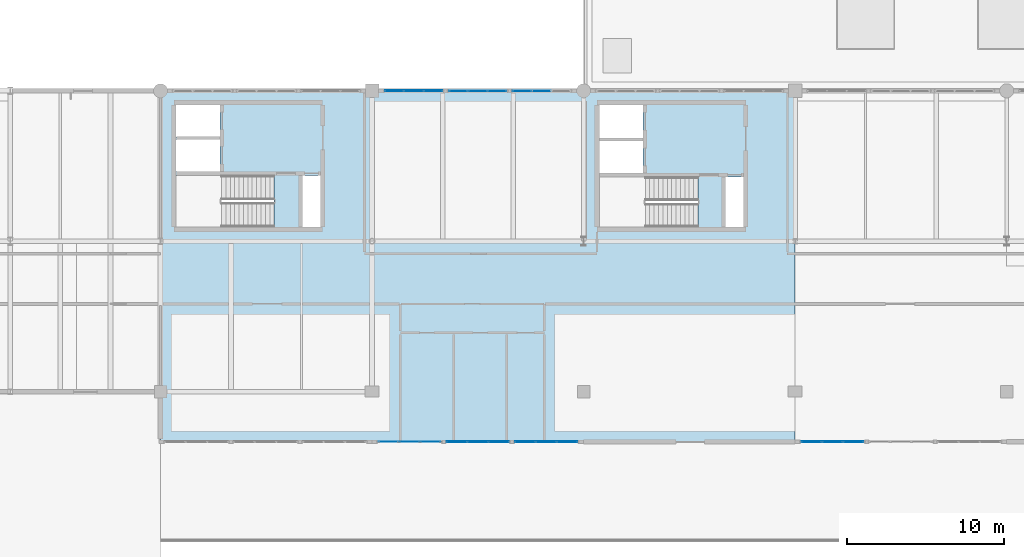
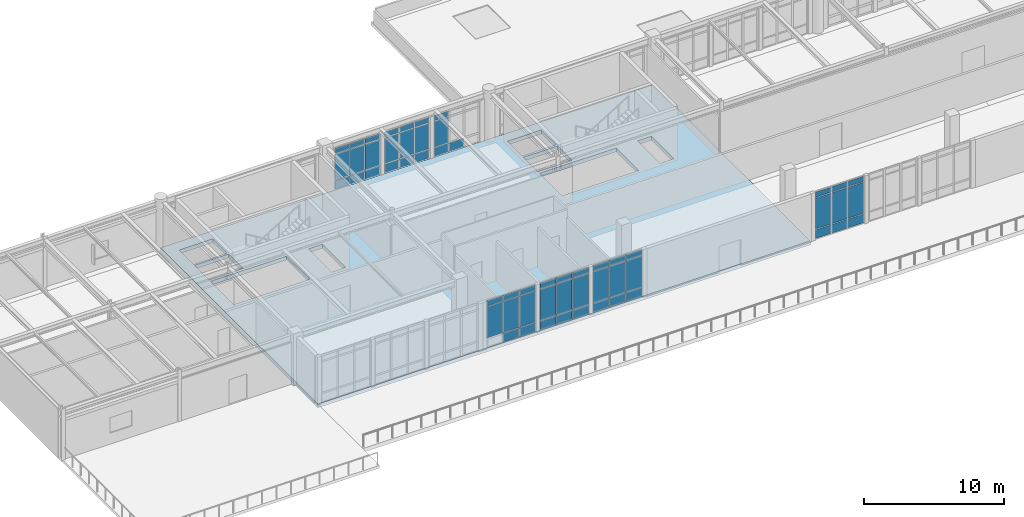
# One storey, part 41 of 55: 57 plates, 1 slab, 7 elements without a shape of their own.
"""IFC4 building model written with IfcOpenShell, lengths in metres."""

from ifc_helpers import new_model, si_unit, direction, frame, origin, origin_2d, place, context, subcontext, project, spatial, polyline, rectangle, outline, extrude, material, layer, layer_set, type_object, element, aggregate, save


model = new_model("IFC4")

# Units and contexts
model_context = context("Model", 3, precision=1e-05, world=origin(), true_north=direction((0.0, 1.0)))
body_context = subcontext(model_context, "Body", "Model", "MODEL_VIEW")
ifc_project = project(units=[si_unit("LENGTHUNIT", "METRE"), si_unit("AREAUNIT", "SQUARE_METRE"), si_unit("VOLUMEUNIT", "CUBIC_METRE"), si_unit("PLANEANGLEUNIT", "RADIAN"), si_unit("MASSUNIT", "GRAM", prefix="KILO")], contexts=[model_context])

# Site, building, storey
site_placement = place(None, origin())
site = spatial("IfcSite", under=ifc_project, at=site_placement, CompositionType="ELEMENT")
building_placement = place(site_placement, origin())
building = spatial("IfcBuilding", under=site, at=building_placement, Name="Fikremerkos Civic Library", CompositionType="ELEMENT")
storey_placement = place(building_placement, frame((0.0, 0.0, 18.89990234375)))
storey = spatial("IfcBuildingStorey", under=building, at=storey_placement, Name="L04", CompositionType="ELEMENT", Elevation=18.89990234375)

# Curtain wall, plates
ifc_material_1 = material(Name="Anodized aluminium Frame", Category="aluminium")
ifc_layer_1 = layer(ifc_material_1, 0.159912109375, Name="Anodized aluminium Frame")
ifc_layer_set_1 = layer_set([ifc_layer_1], Name="Anodized aluminium Frame")
curtain_wall_type_1 = type_object("IfcCurtainWallType", Name="Unitised curtain wall CW-09 3600x3400", PredefinedType="USERDEFINED", material=ifc_layer_set_1)
curtain_wall_1_placement = place(storey_placement, origin())
curtain_wall_1 = element("IfcCurtainWall", 1, at=curtain_wall_1_placement, inside=storey, type_object=curtain_wall_type_1, Name="Unitised curtain wall CW-09 L04 #225", ObjectType="UNITISED CURTAIN WALL", PredefinedType="USERDEFINED")
ifc_material_2 = material(Name="Solar control double glazing", Category="glass")
ifc_layer_2 = layer(ifc_material_2, 0.028076171875, Name="Solar control double glazing")
ifc_layer_set_2 = layer_set([ifc_layer_2], Name="Solar control double glazing")
plate_type_1 = type_object("IfcPlateType", Name="Curtain glazing panel CWP-01 28", PredefinedType="CURTAIN_PANEL", material=ifc_layer_set_2)
plate_1_placement = place(storey_placement, frame((36.423583984375, 8.800048828125, 0.070068359375), z_axis=(0.0, 0.0, 1.0), x_axis=(-1.0, 0.0, 0.0)))
plate_1 = element("IfcPlate", 2, at=plate_1_placement, type_object=plate_type_1, Name="CW-09 panel 1.1", PredefinedType="CURTAIN_PANEL", context=body_context, shape_type="SweptSolid", body=[
    extrude(rectangle(XDim=1.257568359375, YDim=0.028076171875, at=origin_2d()), origin(), (0.0, 0.0, 1.0), 0.7451171875),
])
plate_2_placement = place(storey_placement, frame((36.423583984375, 8.800048828125, 0.885009765625), z_axis=(0.0, 0.0, 1.0), x_axis=(-1.0, 0.0, 0.0)))
plate_2 = element("IfcPlate", 3, at=plate_2_placement, type_object=plate_type_1, Name="CW-09 panel 1.2", PredefinedType="CURTAIN_PANEL", context=body_context, shape_type="SweptSolid", body=[
    extrude(rectangle(XDim=1.257568359375, YDim=0.028076171875, at=origin_2d()), origin(), (0.0, 0.0, 1.0), 2.68994140625),
])
plate_3_placement = place(storey_placement, frame((36.423583984375, 8.800048828125, 3.64501953125), z_axis=(0.0, 0.0, 1.0), x_axis=(-1.0, 0.0, 0.0)))
plate_3 = element("IfcPlate", 4, at=plate_3_placement, type_object=plate_type_1, Name="CW-09 panel 1.3", PredefinedType="CURTAIN_PANEL", context=body_context, shape_type="SweptSolid", body=[
    extrude(rectangle(XDim=1.257568359375, YDim=0.028076171875, at=origin_2d()), origin(), (0.0, 0.0, 1.0), 0.445068359375),
])
plate_4_placement = place(storey_placement, frame((35.084716796875, 8.800048828125, 0.070068359375), z_axis=(0.0, 0.0, 1.0), x_axis=(-1.0, 0.0, 0.0)))
plate_4 = element("IfcPlate", 5, at=plate_4_placement, type_object=plate_type_1, Name="CW-09 panel 2.1", PredefinedType="CURTAIN_PANEL", context=body_context, shape_type="SweptSolid", body=[
    extrude(rectangle(XDim=1.2900390625, YDim=0.028076171875, at=origin_2d()), origin(), (0.0, 0.0, 1.0), 0.7451171875),
])
plate_5_placement = place(storey_placement, frame((35.084716796875, 8.800048828125, 0.885009765625), z_axis=(0.0, 0.0, 1.0), x_axis=(-1.0, 0.0, 0.0)))
plate_5 = element("IfcPlate", 6, at=plate_5_placement, type_object=plate_type_1, Name="CW-09 panel 2.2", PredefinedType="CURTAIN_PANEL", context=body_context, shape_type="SweptSolid", body=[
    extrude(rectangle(XDim=1.2900390625, YDim=0.028076171875, at=origin_2d()), origin(), (0.0, 0.0, 1.0), 2.68994140625),
])
plate_6_placement = place(storey_placement, frame((35.084716796875, 8.800048828125, 3.64501953125), z_axis=(0.0, 0.0, 1.0), x_axis=(-1.0, 0.0, 0.0)))
plate_6 = element("IfcPlate", 7, at=plate_6_placement, type_object=plate_type_1, Name="CW-09 panel 2.3", PredefinedType="CURTAIN_PANEL", context=body_context, shape_type="SweptSolid", body=[
    extrude(rectangle(XDim=1.2900390625, YDim=0.028076171875, at=origin_2d()), origin(), (0.0, 0.0, 1.0), 0.445068359375),
])
plate_7_placement = place(storey_placement, frame((33.745849609375, 8.800048828125, 0.885009765625), z_axis=(0.0, 0.0, 1.0), x_axis=(-1.0, 0.0, 0.0)))
plate_7 = element("IfcPlate", 8, at=plate_7_placement, type_object=plate_type_1, Name="CW-09 panel 3.2", PredefinedType="CURTAIN_PANEL", context=body_context, shape_type="SweptSolid", body=[
    extrude(rectangle(XDim=1.257568359375, YDim=0.028076171875, at=origin_2d()), origin(), (0.0, 0.0, 1.0), 2.68994140625),
])
plate_8_placement = place(storey_placement, frame((33.745849609375, 8.800048828125, 3.64501953125), z_axis=(0.0, 0.0, 1.0), x_axis=(-1.0, 0.0, 0.0)))
plate_8 = element("IfcPlate", 9, at=plate_8_placement, type_object=plate_type_1, Name="CW-09 panel 3.3", PredefinedType="CURTAIN_PANEL", context=body_context, shape_type="SweptSolid", body=[
    extrude(rectangle(XDim=1.257568359375, YDim=0.028076171875, at=origin_2d()), origin(), (0.0, 0.0, 1.0), 0.445068359375),
])
aggregate(curtain_wall_1, [plate_1, plate_2, plate_3, plate_4, plate_5, plate_6, plate_7, plate_8])

ifc_layer_3 = layer(ifc_material_1, 0.159912109375, Name="Anodized aluminium Frame")
ifc_layer_set_3 = layer_set([ifc_layer_3], Name="Anodized aluminium Frame")
curtain_wall_type_2 = type_object("IfcCurtainWallType", Name="Unitised curtain wall CW-17 4600x3600", PredefinedType="USERDEFINED", material=ifc_layer_set_3)
curtain_wall_2_placement = place(storey_placement, origin())
curtain_wall_2 = element("IfcCurtainWall", 10, at=curtain_wall_2_placement, inside=storey, type_object=curtain_wall_type_2, Name="Unitised curtain wall CW-17 L04 #233", ObjectType="UNITISED CURTAIN WALL", PredefinedType="USERDEFINED")
plate_9_placement = place(storey_placement, frame((38.195068359375, 31.199951171875, 0.070068359375), z_axis=(0.0, 0.0, 1.0), x_axis=(1.0, 0.0, 0.0)))
plate_9 = element("IfcPlate", 11, at=plate_9_placement, type_object=plate_type_1, Name="CW-17 panel 1.1", PredefinedType="CURTAIN_PANEL", context=body_context, shape_type="SweptSolid", body=[
    extrude(rectangle(XDim=1.161376953125, YDim=0.028076171875, at=origin_2d()), origin(), (0.0, 0.0, 1.0), 0.7451171875),
])
plate_10_placement = place(storey_placement, frame((38.195068359375, 31.199951171875, 0.885009765625), z_axis=(0.0, 0.0, 1.0), x_axis=(1.0, 0.0, 0.0)))
plate_10 = element("IfcPlate", 12, at=plate_10_placement, type_object=plate_type_1, Name="CW-17 panel 1.2", PredefinedType="CURTAIN_PANEL", context=body_context, shape_type="SweptSolid", body=[
    extrude(rectangle(XDim=1.161376953125, YDim=0.028076171875, at=origin_2d()), origin(), (0.0, 0.0, 1.0), 2.2099609375),
])
plate_11_placement = place(storey_placement, frame((38.195068359375, 31.199951171875, 3.1650390625), z_axis=(0.0, 0.0, 1.0), x_axis=(1.0, 0.0, 0.0)))
plate_11 = element("IfcPlate", 13, at=plate_11_placement, type_object=plate_type_1, Name="CW-17 panel 1.3", PredefinedType="CURTAIN_PANEL", context=body_context, shape_type="SweptSolid", body=[
    extrude(rectangle(XDim=1.161376953125, YDim=0.028076171875, at=origin_2d()), origin(), (0.0, 0.0, 1.0), 0.445068359375),
])
plate_12_placement = place(storey_placement, frame((39.4375, 31.199951171875, 0.070068359375), z_axis=(0.0, 0.0, 1.0), x_axis=(1.0, 0.0, 0.0)))
plate_12 = element("IfcPlate", 14, at=plate_12_placement, type_object=plate_type_1, Name="CW-17 panel 2.1", PredefinedType="CURTAIN_PANEL", context=body_context, shape_type="SweptSolid", body=[
    extrude(rectangle(XDim=1.19384765625, YDim=0.028076171875, at=origin_2d()), origin(), (0.0, 0.0, 1.0), 0.7451171875),
])
plate_13_placement = place(storey_placement, frame((39.4375, 31.199951171875, 0.885009765625), z_axis=(0.0, 0.0, 1.0), x_axis=(1.0, 0.0, 0.0)))
plate_13 = element("IfcPlate", 15, at=plate_13_placement, type_object=plate_type_1, Name="CW-17 panel 2.2", PredefinedType="CURTAIN_PANEL", context=body_context, shape_type="SweptSolid", body=[
    extrude(rectangle(XDim=1.19384765625, YDim=0.028076171875, at=origin_2d()), origin(), (0.0, 0.0, 1.0), 2.2099609375),
])
plate_14_placement = place(storey_placement, frame((39.4375, 31.199951171875, 3.1650390625), z_axis=(0.0, 0.0, 1.0), x_axis=(1.0, 0.0, 0.0)))
plate_14 = element("IfcPlate", 16, at=plate_14_placement, type_object=plate_type_1, Name="CW-17 panel 2.3", PredefinedType="CURTAIN_PANEL", context=body_context, shape_type="SweptSolid", body=[
    extrude(rectangle(XDim=1.19384765625, YDim=0.028076171875, at=origin_2d()), origin(), (0.0, 0.0, 1.0), 0.445068359375),
])
plate_15_placement = place(storey_placement, frame((40.679931640625, 31.199951171875, 0.070068359375), z_axis=(0.0, 0.0, 1.0), x_axis=(1.0, 0.0, 0.0)))
plate_15 = element("IfcPlate", 17, at=plate_15_placement, type_object=plate_type_1, Name="CW-17 panel 3.1", PredefinedType="CURTAIN_PANEL", context=body_context, shape_type="SweptSolid", body=[
    extrude(rectangle(XDim=1.161376953125, YDim=0.028076171875, at=origin_2d()), origin(), (0.0, 0.0, 1.0), 0.7451171875),
])
plate_16_placement = place(storey_placement, frame((40.679931640625, 31.199951171875, 0.885009765625), z_axis=(0.0, 0.0, 1.0), x_axis=(1.0, 0.0, 0.0)))
plate_16 = element("IfcPlate", 18, at=plate_16_placement, type_object=plate_type_1, Name="CW-17 panel 3.2", PredefinedType="CURTAIN_PANEL", context=body_context, shape_type="SweptSolid", body=[
    extrude(rectangle(XDim=1.161376953125, YDim=0.028076171875, at=origin_2d()), origin(), (0.0, 0.0, 1.0), 2.2099609375),
])
plate_17_placement = place(storey_placement, frame((40.679931640625, 31.199951171875, 3.1650390625), z_axis=(0.0, 0.0, 1.0), x_axis=(1.0, 0.0, 0.0)))
plate_17 = element("IfcPlate", 19, at=plate_17_placement, type_object=plate_type_1, Name="CW-17 panel 3.3", PredefinedType="CURTAIN_PANEL", context=body_context, shape_type="SweptSolid", body=[
    extrude(rectangle(XDim=1.161376953125, YDim=0.028076171875, at=origin_2d()), origin(), (0.0, 0.0, 1.0), 0.445068359375),
])
aggregate(curtain_wall_2, [plate_9, plate_10, plate_11, plate_12, plate_13, plate_14, plate_15, plate_16, plate_17])

ifc_layer_4 = layer(ifc_material_1, 0.159912109375, Name="Anodized aluminium Frame")
ifc_layer_set_4 = layer_set([ifc_layer_4], Name="Anodized aluminium Frame")
curtain_wall_type_3 = type_object("IfcCurtainWallType", Name="Unitised curtain wall CW-06 4200x4100", PredefinedType="USERDEFINED", material=ifc_layer_set_4)
curtain_wall_3_placement = place(storey_placement, origin())
curtain_wall_3 = element("IfcCurtainWall", 20, at=curtain_wall_3_placement, inside=storey, type_object=curtain_wall_type_3, Name="Unitised curtain wall CW-06 L04 #222", ObjectType="UNITISED CURTAIN WALL", PredefinedType="USERDEFINED")
ifc_layer_5 = layer(ifc_material_2, 0.035888671875, Name="Solar control double glazing")
ifc_layer_set_5 = layer_set([ifc_layer_5], Name="Solar control double glazing")
plate_type_2 = type_object("IfcPlateType", Name="Curtain glazing panel CWP-02 36", PredefinedType="CURTAIN_PANEL", material=ifc_layer_set_5)
plate_18_placement = place(storey_placement, frame((63.4248046875, 8.800048828125, 0.06005859375), z_axis=(0.0, 0.0, 1.0), x_axis=(-1.0, 0.0, 0.0)))
plate_18 = element("IfcPlate", 21, at=plate_18_placement, type_object=plate_type_2, Name="CW-06 panel 1.1", PredefinedType="CURTAIN_PANEL", context=body_context, shape_type="SweptSolid", body=[
    extrude(rectangle(XDim=1.26513671875, YDim=0.035888671875, at=origin_2d()), origin(), (0.0, 0.0, 1.0), 0.760009765625),
])
plate_19_placement = place(storey_placement, frame((63.4248046875, 8.800048828125, 0.8798828125), z_axis=(0.0, 0.0, 1.0), x_axis=(-1.0, 0.0, 0.0)))
plate_19 = element("IfcPlate", 22, at=plate_19_placement, type_object=plate_type_2, Name="CW-06 panel 1.2", PredefinedType="CURTAIN_PANEL", context=body_context, shape_type="SweptSolid", body=[
    extrude(rectangle(XDim=1.26513671875, YDim=0.035888671875, at=origin_2d()), origin(), (0.0, 0.0, 1.0), 2.699951171875),
])
plate_20_placement = place(storey_placement, frame((63.4248046875, 8.800048828125, 3.64013671875), z_axis=(0.0, 0.0, 1.0), x_axis=(-1.0, 0.0, 0.0)))
plate_20 = element("IfcPlate", 23, at=plate_20_placement, type_object=plate_type_2, Name="CW-06 panel 1.3", PredefinedType="CURTAIN_PANEL", context=body_context, shape_type="SweptSolid", body=[
    extrude(rectangle(XDim=1.26513671875, YDim=0.035888671875, at=origin_2d()), origin(), (0.0, 0.0, 1.0), 0.4599609375),
])
plate_21_placement = place(storey_placement, frame((62.084716796875, 8.800048828125, 0.06005859375), z_axis=(0.0, 0.0, 1.0), x_axis=(-1.0, 0.0, 0.0)))
plate_21 = element("IfcPlate", 24, at=plate_21_placement, type_object=plate_type_2, Name="CW-06 panel 2.1", PredefinedType="CURTAIN_PANEL", context=body_context, shape_type="SweptSolid", body=[
    extrude(rectangle(XDim=1.295166015625, YDim=0.035888671875, at=origin_2d()), origin(), (0.0, 0.0, 1.0), 0.760009765625),
])
plate_22_placement = place(storey_placement, frame((62.084716796875, 8.800048828125, 0.8798828125), z_axis=(0.0, 0.0, 1.0), x_axis=(-1.0, 0.0, 0.0)))
plate_22 = element("IfcPlate", 25, at=plate_22_placement, type_object=plate_type_2, Name="CW-06 panel 2.2", PredefinedType="CURTAIN_PANEL", context=body_context, shape_type="SweptSolid", body=[
    extrude(rectangle(XDim=1.295166015625, YDim=0.035888671875, at=origin_2d()), origin(), (0.0, 0.0, 1.0), 2.699951171875),
])
plate_23_placement = place(storey_placement, frame((62.084716796875, 8.800048828125, 3.64013671875), z_axis=(0.0, 0.0, 1.0), x_axis=(-1.0, 0.0, 0.0)))
plate_23 = element("IfcPlate", 26, at=plate_23_placement, type_object=plate_type_2, Name="CW-06 panel 2.3", PredefinedType="CURTAIN_PANEL", context=body_context, shape_type="SweptSolid", body=[
    extrude(rectangle(XDim=1.295166015625, YDim=0.035888671875, at=origin_2d()), origin(), (0.0, 0.0, 1.0), 0.4599609375),
])
plate_24_placement = place(storey_placement, frame((60.74462890625, 8.800048828125, 0.06005859375), z_axis=(0.0, 0.0, 1.0), x_axis=(-1.0, 0.0, 0.0)))
plate_24 = element("IfcPlate", 27, at=plate_24_placement, type_object=plate_type_2, Name="CW-06 panel 3.1", PredefinedType="CURTAIN_PANEL", context=body_context, shape_type="SweptSolid", body=[
    extrude(rectangle(XDim=1.26513671875, YDim=0.035888671875, at=origin_2d()), origin(), (0.0, 0.0, 1.0), 0.760009765625),
])
plate_25_placement = place(storey_placement, frame((60.74462890625, 8.800048828125, 0.8798828125), z_axis=(0.0, 0.0, 1.0), x_axis=(-1.0, 0.0, 0.0)))
plate_25 = element("IfcPlate", 28, at=plate_25_placement, type_object=plate_type_2, Name="CW-06 panel 3.2", PredefinedType="CURTAIN_PANEL", context=body_context, shape_type="SweptSolid", body=[
    extrude(rectangle(XDim=1.26513671875, YDim=0.035888671875, at=origin_2d()), origin(), (0.0, 0.0, 1.0), 2.699951171875),
])
plate_26_placement = place(storey_placement, frame((60.74462890625, 8.800048828125, 3.64013671875), z_axis=(0.0, 0.0, 1.0), x_axis=(-1.0, 0.0, 0.0)))
plate_26 = element("IfcPlate", 29, at=plate_26_placement, type_object=plate_type_2, Name="CW-06 panel 3.3", PredefinedType="CURTAIN_PANEL", context=body_context, shape_type="SweptSolid", body=[
    extrude(rectangle(XDim=1.26513671875, YDim=0.035888671875, at=origin_2d()), origin(), (0.0, 0.0, 1.0), 0.4599609375),
])
aggregate(curtain_wall_3, [plate_18, plate_19, plate_20, plate_21, plate_22, plate_23, plate_24, plate_25, plate_26])

ifc_layer_6 = layer(ifc_material_1, 0.159912109375, Name="Anodized aluminium Frame")
ifc_layer_set_6 = layer_set([ifc_layer_6], Name="Anodized aluminium Frame")
curtain_wall_type_4 = type_object("IfcCurtainWallType", Name="Unitised curtain wall CW-18 2700x3400", PredefinedType="USERDEFINED", material=ifc_layer_set_6)
curtain_wall_4_placement = place(storey_placement, origin())
curtain_wall_4 = element("IfcCurtainWall", 30, at=curtain_wall_4_placement, inside=storey, type_object=curtain_wall_type_4, Name="Unitised curtain wall CW-18 L04 #234", ObjectType="UNITISED CURTAIN WALL", PredefinedType="USERDEFINED")
plate_27_placement = place(storey_placement, frame((42.27001953125, 31.199951171875, 0.070068359375), z_axis=(0.0, 0.0, 1.0), x_axis=(1.0, 0.0, 0.0)))
plate_27 = element("IfcPlate", 31, at=plate_27_placement, type_object=plate_type_2, Name="CW-18 panel 1.1", PredefinedType="CURTAIN_PANEL", context=body_context, shape_type="SweptSolid", body=[
    extrude(rectangle(XDim=1.168701171875, YDim=0.035888671875, at=origin_2d()), origin(), (0.0, 0.0, 1.0), 0.7451171875),
])
plate_28_placement = place(storey_placement, frame((42.27001953125, 31.199951171875, 0.885009765625), z_axis=(0.0, 0.0, 1.0), x_axis=(1.0, 0.0, 0.0)))
plate_28 = element("IfcPlate", 32, at=plate_28_placement, type_object=plate_type_2, Name="CW-18 panel 1.2", PredefinedType="CURTAIN_PANEL", context=body_context, shape_type="SweptSolid", body=[
    extrude(rectangle(XDim=1.168701171875, YDim=0.035888671875, at=origin_2d()), origin(), (0.0, 0.0, 1.0), 2.2099609375),
])
plate_29_placement = place(storey_placement, frame((42.27001953125, 31.199951171875, 3.1650390625), z_axis=(0.0, 0.0, 1.0), x_axis=(1.0, 0.0, 0.0)))
plate_29 = element("IfcPlate", 33, at=plate_29_placement, type_object=plate_type_2, Name="CW-18 panel 1.3", PredefinedType="CURTAIN_PANEL", context=body_context, shape_type="SweptSolid", body=[
    extrude(rectangle(XDim=1.168701171875, YDim=0.035888671875, at=origin_2d()), origin(), (0.0, 0.0, 1.0), 0.445068359375),
])
plate_30_placement = place(storey_placement, frame((43.513916015625, 31.199951171875, 0.070068359375), z_axis=(0.0, 0.0, 1.0), x_axis=(1.0, 0.0, 0.0)))
plate_30 = element("IfcPlate", 34, at=plate_30_placement, type_object=plate_type_2, Name="CW-18 panel 2.1", PredefinedType="CURTAIN_PANEL", context=body_context, shape_type="SweptSolid", body=[
    extrude(rectangle(XDim=1.19873046875, YDim=0.035888671875, at=origin_2d()), origin(), (0.0, 0.0, 1.0), 0.7451171875),
])
aggregate(curtain_wall_4, [plate_27, plate_28, plate_29, plate_30])

ifc_layer_7 = layer(ifc_material_1, 0.159912109375, Name="Anodized aluminium Frame")
ifc_layer_set_7 = layer_set([ifc_layer_7], Name="Anodized aluminium Frame")
curtain_wall_type_5 = type_object("IfcCurtainWallType", Name="Unitised curtain wall CW-07 3500x4100", PredefinedType="USERDEFINED", material=ifc_layer_set_7)
curtain_wall_5_placement = place(storey_placement, origin())
curtain_wall_5 = element("IfcCurtainWall", 35, at=curtain_wall_5_placement, inside=storey, type_object=curtain_wall_type_5, Name="Unitised curtain wall CW-07 L04 #223", ObjectType="UNITISED CURTAIN WALL", PredefinedType="USERDEFINED")
ifc_material_3 = material(Name="Insulated aluminium spandrel", Category="aluminium")
ifc_layer_8 = layer(ifc_material_3, 0.044921875, Name="Insulated aluminium spandrel")
ifc_layer_set_8 = layer_set([ifc_layer_8], Name="Insulated aluminium spandrel")
plate_type_3 = type_object("IfcPlateType", Name="Curtain spandrel panel CSP-01 45", PredefinedType="CURTAIN_PANEL", material=ifc_layer_set_8)
plate_31_placement = place(storey_placement, frame((45.155517578125, 8.800048828125, 0.070068359375), z_axis=(0.0, 0.0, 1.0), x_axis=(-1.0, 0.0, 0.0)))
plate_31 = element("IfcPlate", 36, at=plate_31_placement, type_object=plate_type_3, Name="CW-07 panel 1.1", PredefinedType="CURTAIN_PANEL", context=body_context, shape_type="SweptSolid", body=[
    extrude(rectangle(XDim=1.26513671875, YDim=0.044921875, at=origin_2d()), origin(), (0.0, 0.0, 1.0), 0.7451171875),
])
plate_32_placement = place(storey_placement, frame((45.155517578125, 8.800048828125, 0.885009765625), z_axis=(0.0, 0.0, 1.0), x_axis=(-1.0, 0.0, 0.0)))
plate_32 = element("IfcPlate", 37, at=plate_32_placement, type_object=plate_type_3, Name="CW-07 panel 1.2", PredefinedType="CURTAIN_PANEL", context=body_context, shape_type="SweptSolid", body=[
    extrude(rectangle(XDim=1.26513671875, YDim=0.044921875, at=origin_2d()), origin(), (0.0, 0.0, 1.0), 2.68994140625),
])
plate_33_placement = place(storey_placement, frame((45.155517578125, 8.800048828125, 3.64501953125), z_axis=(0.0, 0.0, 1.0), x_axis=(-1.0, 0.0, 0.0)))
plate_33 = element("IfcPlate", 38, at=plate_33_placement, type_object=plate_type_3, Name="CW-07 panel 1.3", PredefinedType="CURTAIN_PANEL", context=body_context, shape_type="SweptSolid", body=[
    extrude(rectangle(XDim=1.26513671875, YDim=0.044921875, at=origin_2d()), origin(), (0.0, 0.0, 1.0), 0.445068359375),
])
plate_34_placement = place(storey_placement, frame((43.8154296875, 8.800048828125, 0.070068359375), z_axis=(0.0, 0.0, 1.0), x_axis=(-1.0, 0.0, 0.0)))
plate_34 = element("IfcPlate", 39, at=plate_34_placement, type_object=plate_type_3, Name="CW-07 panel 2.1", PredefinedType="CURTAIN_PANEL", context=body_context, shape_type="SweptSolid", body=[
    extrude(rectangle(XDim=1.295166015625, YDim=0.044921875, at=origin_2d()), origin(), (0.0, 0.0, 1.0), 0.7451171875),
])
plate_35_placement = place(storey_placement, frame((43.8154296875, 8.800048828125, 0.885009765625), z_axis=(0.0, 0.0, 1.0), x_axis=(-1.0, 0.0, 0.0)))
plate_35 = element("IfcPlate", 40, at=plate_35_placement, type_object=plate_type_3, Name="CW-07 panel 2.2", PredefinedType="CURTAIN_PANEL", context=body_context, shape_type="SweptSolid", body=[
    extrude(rectangle(XDim=1.295166015625, YDim=0.044921875, at=origin_2d()), origin(), (0.0, 0.0, 1.0), 2.68994140625),
])
plate_36_placement = place(storey_placement, frame((43.8154296875, 8.800048828125, 3.64501953125), z_axis=(0.0, 0.0, 1.0), x_axis=(-1.0, 0.0, 0.0)))
plate_36 = element("IfcPlate", 41, at=plate_36_placement, type_object=plate_type_3, Name="CW-07 panel 2.3", PredefinedType="CURTAIN_PANEL", context=body_context, shape_type="SweptSolid", body=[
    extrude(rectangle(XDim=1.295166015625, YDim=0.044921875, at=origin_2d()), origin(), (0.0, 0.0, 1.0), 0.445068359375),
])
plate_37_placement = place(storey_placement, frame((42.475341796875, 8.800048828125, 0.070068359375), z_axis=(0.0, 0.0, 1.0), x_axis=(-1.0, 0.0, 0.0)))
plate_37 = element("IfcPlate", 42, at=plate_37_placement, type_object=plate_type_3, Name="CW-07 panel 3.1", PredefinedType="CURTAIN_PANEL", context=body_context, shape_type="SweptSolid", body=[
    extrude(rectangle(XDim=1.26513671875, YDim=0.044921875, at=origin_2d()), origin(), (0.0, 0.0, 1.0), 0.7451171875),
])
plate_38_placement = place(storey_placement, frame((42.475341796875, 8.800048828125, 0.885009765625), z_axis=(0.0, 0.0, 1.0), x_axis=(-1.0, 0.0, 0.0)))
plate_38 = element("IfcPlate", 43, at=plate_38_placement, type_object=plate_type_3, Name="CW-07 panel 3.2", PredefinedType="CURTAIN_PANEL", context=body_context, shape_type="SweptSolid", body=[
    extrude(rectangle(XDim=1.26513671875, YDim=0.044921875, at=origin_2d()), origin(), (0.0, 0.0, 1.0), 2.68994140625),
])
plate_39_placement = place(storey_placement, frame((42.475341796875, 8.800048828125, 3.64501953125), z_axis=(0.0, 0.0, 1.0), x_axis=(-1.0, 0.0, 0.0)))
plate_39 = element("IfcPlate", 44, at=plate_39_placement, type_object=plate_type_3, Name="CW-07 panel 3.3", PredefinedType="CURTAIN_PANEL", context=body_context, shape_type="SweptSolid", body=[
    extrude(rectangle(XDim=1.26513671875, YDim=0.044921875, at=origin_2d()), origin(), (0.0, 0.0, 1.0), 0.445068359375),
])
aggregate(curtain_wall_5, [plate_31, plate_32, plate_33, plate_34, plate_35, plate_36, plate_37, plate_38, plate_39])

ifc_layer_9 = layer(ifc_material_1, 0.159912109375, Name="Anodized aluminium Frame")
ifc_layer_set_9 = layer_set([ifc_layer_9], Name="Anodized aluminium Frame")
curtain_wall_type_6 = type_object("IfcCurtainWallType", Name="Unitised curtain wall CW-08 4500x4100", PredefinedType="USERDEFINED", material=ifc_layer_set_9)
curtain_wall_6_placement = place(storey_placement, origin())
curtain_wall_6 = element("IfcCurtainWall", 45, at=curtain_wall_6_placement, inside=storey, type_object=curtain_wall_type_6, Name="Unitised curtain wall CW-08 L04 #224", ObjectType="UNITISED CURTAIN WALL", PredefinedType="USERDEFINED")
ifc_layer_10 = layer(ifc_material_3, 0.054931640625, Name="Insulated aluminium spandrel")
ifc_layer_set_10 = layer_set([ifc_layer_10], Name="Insulated aluminium spandrel")
plate_type_4 = type_object("IfcPlateType", Name="Curtain spandrel panel CSP-02 55", PredefinedType="CURTAIN_PANEL", material=ifc_layer_set_10)
plate_40_placement = place(storey_placement, frame((40.7900390625, 8.800048828125, 0.070068359375), z_axis=(0.0, 0.0, 1.0), x_axis=(-1.0, 0.0, 0.0)))
plate_40 = element("IfcPlate", 46, at=plate_40_placement, type_object=plate_type_4, Name="CW-08 panel 1.1", PredefinedType="CURTAIN_PANEL", context=body_context, shape_type="SweptSolid", body=[
    extrude(rectangle(XDim=1.26513671875, YDim=0.054931640625, at=origin_2d()), origin(), (0.0, 0.0, 1.0), 0.7451171875),
])
plate_41_placement = place(storey_placement, frame((40.7900390625, 8.800048828125, 0.885009765625), z_axis=(0.0, 0.0, 1.0), x_axis=(-1.0, 0.0, 0.0)))
plate_41 = element("IfcPlate", 47, at=plate_41_placement, type_object=plate_type_4, Name="CW-08 panel 1.2", PredefinedType="CURTAIN_PANEL", context=body_context, shape_type="SweptSolid", body=[
    extrude(rectangle(XDim=1.26513671875, YDim=0.054931640625, at=origin_2d()), origin(), (0.0, 0.0, 1.0), 2.68994140625),
])
plate_42_placement = place(storey_placement, frame((40.7900390625, 8.800048828125, 3.64501953125), z_axis=(0.0, 0.0, 1.0), x_axis=(-1.0, 0.0, 0.0)))
plate_42 = element("IfcPlate", 48, at=plate_42_placement, type_object=plate_type_4, Name="CW-08 panel 1.3", PredefinedType="CURTAIN_PANEL", context=body_context, shape_type="SweptSolid", body=[
    extrude(rectangle(XDim=1.26513671875, YDim=0.054931640625, at=origin_2d()), origin(), (0.0, 0.0, 1.0), 0.445068359375),
])
plate_43_placement = place(storey_placement, frame((39.449951171875, 8.800048828125, 0.070068359375), z_axis=(0.0, 0.0, 1.0), x_axis=(-1.0, 0.0, 0.0)))
plate_43 = element("IfcPlate", 49, at=plate_43_placement, type_object=plate_type_4, Name="CW-08 panel 2.1", PredefinedType="CURTAIN_PANEL", context=body_context, shape_type="SweptSolid", body=[
    extrude(rectangle(XDim=1.295166015625, YDim=0.054931640625, at=origin_2d()), origin(), (0.0, 0.0, 1.0), 0.7451171875),
])
plate_44_placement = place(storey_placement, frame((39.449951171875, 8.800048828125, 0.885009765625), z_axis=(0.0, 0.0, 1.0), x_axis=(-1.0, 0.0, 0.0)))
plate_44 = element("IfcPlate", 50, at=plate_44_placement, type_object=plate_type_4, Name="CW-08 panel 2.2", PredefinedType="CURTAIN_PANEL", context=body_context, shape_type="SweptSolid", body=[
    extrude(rectangle(XDim=1.295166015625, YDim=0.054931640625, at=origin_2d()), origin(), (0.0, 0.0, 1.0), 2.68994140625),
])
plate_45_placement = place(storey_placement, frame((39.449951171875, 8.800048828125, 3.64501953125), z_axis=(0.0, 0.0, 1.0), x_axis=(-1.0, 0.0, 0.0)))
plate_45 = element("IfcPlate", 51, at=plate_45_placement, type_object=plate_type_4, Name="CW-08 panel 2.3", PredefinedType="CURTAIN_PANEL", context=body_context, shape_type="SweptSolid", body=[
    extrude(rectangle(XDim=1.295166015625, YDim=0.054931640625, at=origin_2d()), origin(), (0.0, 0.0, 1.0), 0.445068359375),
])
plate_46_placement = place(storey_placement, frame((38.10986328125, 8.800048828125, 0.070068359375), z_axis=(0.0, 0.0, 1.0), x_axis=(-1.0, 0.0, 0.0)))
plate_46 = element("IfcPlate", 52, at=plate_46_placement, type_object=plate_type_4, Name="CW-08 panel 3.1", PredefinedType="CURTAIN_PANEL", context=body_context, shape_type="SweptSolid", body=[
    extrude(rectangle(XDim=1.26513671875, YDim=0.054931640625, at=origin_2d()), origin(), (0.0, 0.0, 1.0), 0.7451171875),
])
plate_47_placement = place(storey_placement, frame((38.10986328125, 8.800048828125, 0.885009765625), z_axis=(0.0, 0.0, 1.0), x_axis=(-1.0, 0.0, 0.0)))
plate_47 = element("IfcPlate", 53, at=plate_47_placement, type_object=plate_type_4, Name="CW-08 panel 3.2", PredefinedType="CURTAIN_PANEL", context=body_context, shape_type="SweptSolid", body=[
    extrude(rectangle(XDim=1.26513671875, YDim=0.054931640625, at=origin_2d()), origin(), (0.0, 0.0, 1.0), 2.68994140625),
])
plate_48_placement = place(storey_placement, frame((38.10986328125, 8.800048828125, 3.64501953125), z_axis=(0.0, 0.0, 1.0), x_axis=(-1.0, 0.0, 0.0)))
plate_48 = element("IfcPlate", 54, at=plate_48_placement, type_object=plate_type_4, Name="CW-08 panel 3.3", PredefinedType="CURTAIN_PANEL", context=body_context, shape_type="SweptSolid", body=[
    extrude(rectangle(XDim=1.26513671875, YDim=0.054931640625, at=origin_2d()), origin(), (0.0, 0.0, 1.0), 0.445068359375),
])
aggregate(curtain_wall_6, [plate_40, plate_41, plate_42, plate_43, plate_44, plate_45, plate_46, plate_47, plate_48])

ifc_layer_11 = layer(ifc_material_1, 0.159912109375, Name="Anodized aluminium Frame")
ifc_layer_set_11 = layer_set([ifc_layer_11], Name="Anodized aluminium Frame")
curtain_wall_type_7 = type_object("IfcCurtainWallType", Name="Unitised curtain wall CW-16 3100x4100", PredefinedType="USERDEFINED", material=ifc_layer_set_11)
curtain_wall_7_placement = place(storey_placement, origin())
curtain_wall_7 = element("IfcCurtainWall", 55, at=curtain_wall_7_placement, inside=storey, type_object=curtain_wall_type_7, Name="Unitised curtain wall CW-16 L04 #232", ObjectType="UNITISED CURTAIN WALL", PredefinedType="USERDEFINED")
plate_49_placement = place(storey_placement, frame((34.117431640625, 31.199951171875, 0.070068359375), z_axis=(0.0, 0.0, 1.0), x_axis=(1.0, 0.0, 0.0)))
plate_49 = element("IfcPlate", 56, at=plate_49_placement, type_object=plate_type_4, Name="CW-16 panel 1.1", PredefinedType="CURTAIN_PANEL", context=body_context, shape_type="SweptSolid", body=[
    extrude(rectangle(XDim=1.168701171875, YDim=0.054931640625, at=origin_2d()), origin(), (0.0, 0.0, 1.0), 0.7451171875),
])
plate_50_placement = place(storey_placement, frame((34.117431640625, 31.199951171875, 0.885009765625), z_axis=(0.0, 0.0, 1.0), x_axis=(1.0, 0.0, 0.0)))
plate_50 = element("IfcPlate", 57, at=plate_50_placement, type_object=plate_type_4, Name="CW-16 panel 1.2", PredefinedType="CURTAIN_PANEL", context=body_context, shape_type="SweptSolid", body=[
    extrude(rectangle(XDim=1.168701171875, YDim=0.054931640625, at=origin_2d()), origin(), (0.0, 0.0, 1.0), 2.2099609375),
])
plate_51_placement = place(storey_placement, frame((34.117431640625, 31.199951171875, 3.1650390625), z_axis=(0.0, 0.0, 1.0), x_axis=(1.0, 0.0, 0.0)))
plate_51 = element("IfcPlate", 58, at=plate_51_placement, type_object=plate_type_4, Name="CW-16 panel 1.3", PredefinedType="CURTAIN_PANEL", context=body_context, shape_type="SweptSolid", body=[
    extrude(rectangle(XDim=1.168701171875, YDim=0.054931640625, at=origin_2d()), origin(), (0.0, 0.0, 1.0), 0.445068359375),
])
plate_52_placement = place(storey_placement, frame((35.361083984375, 31.199951171875, 0.070068359375), z_axis=(0.0, 0.0, 1.0), x_axis=(1.0, 0.0, 0.0)))
plate_52 = element("IfcPlate", 59, at=plate_52_placement, type_object=plate_type_4, Name="CW-16 panel 2.1", PredefinedType="CURTAIN_PANEL", context=body_context, shape_type="SweptSolid", body=[
    extrude(rectangle(XDim=1.19873046875, YDim=0.054931640625, at=origin_2d()), origin(), (0.0, 0.0, 1.0), 0.7451171875),
])
plate_53_placement = place(storey_placement, frame((35.361083984375, 31.199951171875, 0.885009765625), z_axis=(0.0, 0.0, 1.0), x_axis=(1.0, 0.0, 0.0)))
plate_53 = element("IfcPlate", 60, at=plate_53_placement, type_object=plate_type_4, Name="CW-16 panel 2.2", PredefinedType="CURTAIN_PANEL", context=body_context, shape_type="SweptSolid", body=[
    extrude(rectangle(XDim=1.19873046875, YDim=0.054931640625, at=origin_2d()), origin(), (0.0, 0.0, 1.0), 2.2099609375),
])
plate_54_placement = place(storey_placement, frame((35.361083984375, 31.199951171875, 3.1650390625), z_axis=(0.0, 0.0, 1.0), x_axis=(1.0, 0.0, 0.0)))
plate_54 = element("IfcPlate", 61, at=plate_54_placement, type_object=plate_type_4, Name="CW-16 panel 2.3", PredefinedType="CURTAIN_PANEL", context=body_context, shape_type="SweptSolid", body=[
    extrude(rectangle(XDim=1.19873046875, YDim=0.054931640625, at=origin_2d()), origin(), (0.0, 0.0, 1.0), 0.445068359375),
])
plate_55_placement = place(storey_placement, frame((36.60498046875, 31.199951171875, 0.070068359375), z_axis=(0.0, 0.0, 1.0), x_axis=(1.0, 0.0, 0.0)))
plate_55 = element("IfcPlate", 62, at=plate_55_placement, type_object=plate_type_4, Name="CW-16 panel 3.1", PredefinedType="CURTAIN_PANEL", context=body_context, shape_type="SweptSolid", body=[
    extrude(rectangle(XDim=1.168701171875, YDim=0.054931640625, at=origin_2d()), origin(), (0.0, 0.0, 1.0), 0.7451171875),
])
plate_56_placement = place(storey_placement, frame((36.60498046875, 31.199951171875, 0.885009765625), z_axis=(0.0, 0.0, 1.0), x_axis=(1.0, 0.0, 0.0)))
plate_56 = element("IfcPlate", 63, at=plate_56_placement, type_object=plate_type_4, Name="CW-16 panel 3.2", PredefinedType="CURTAIN_PANEL", context=body_context, shape_type="SweptSolid", body=[
    extrude(rectangle(XDim=1.168701171875, YDim=0.054931640625, at=origin_2d()), origin(), (0.0, 0.0, 1.0), 2.2099609375),
])
plate_57_placement = place(storey_placement, frame((36.60498046875, 31.199951171875, 3.1650390625), z_axis=(0.0, 0.0, 1.0), x_axis=(1.0, 0.0, 0.0)))
plate_57 = element("IfcPlate", 64, at=plate_57_placement, type_object=plate_type_4, Name="CW-16 panel 3.3", PredefinedType="CURTAIN_PANEL", context=body_context, shape_type="SweptSolid", body=[
    extrude(rectangle(XDim=1.168701171875, YDim=0.054931640625, at=origin_2d()), origin(), (0.0, 0.0, 1.0), 0.445068359375),
])
aggregate(curtain_wall_7, [plate_49, plate_50, plate_51, plate_52, plate_53, plate_54, plate_55, plate_56, plate_57])

# Slab
ifc_material_4 = material(Name="Concrete C40/50", Category="concrete")
ifc_layer_12 = layer(ifc_material_4, 0.340087890625, Name="Concrete C40/50")
ifc_layer_set_12 = layer_set([ifc_layer_12], Name="Concrete C40/50")
slab_type = type_object("IfcSlabType", Name="Suspended floor slab SFS-01 340", PredefinedType="FLOOR", material=ifc_layer_set_12)
slab_placement = place(storey_placement, frame((0.0, 0.0, -0.33984375)))
element("IfcSlab", 65, at=slab_placement, inside=storey, type_object=slab_type, Name="Floor slab SFS-01 SLB-L04-V1-H-1", PredefinedType="FLOOR", context=body_context, shape_type="SweptSolid", body=[
    extrude(outline(polyline([(19.199951171875, 8.800048828125), (59.699951171875, 8.800048828125), (59.699951171875, 31.199951171875), (19.199951171875, 31.199951171875), (19.199951171875, 8.800048828125)]), holes=[polyline([(20.199951171875, 22.5), (26.449951171875, 22.5), (26.449951171875, 25.800048828125), (20.199951171875, 25.800048828125), (20.199951171875, 22.5)]), polyline([(20.199951171875, 26.06005859375), (23.0, 26.06005859375), (23.0, 28.10009765625), (20.199951171875, 28.10009765625), (20.199951171875, 26.06005859375)]), polyline([(20.199951171875, 28.260009765625), (23.0, 28.260009765625), (23.0, 30.300048828125), (20.199951171875, 30.300048828125), (20.199951171875, 28.260009765625)]), polyline([(28.260009765625, 22.5), (29.39990234375, 22.5), (29.39990234375, 25.800048828125), (28.260009765625, 25.800048828125), (28.260009765625, 22.5)]), polyline([(47.199951171875, 22.5), (53.5, 22.5), (53.5, 25.699951171875), (47.199951171875, 25.699951171875), (47.199951171875, 22.5)]), polyline([(47.199951171875, 25.9599609375), (50.0, 25.9599609375), (50.0, 28.0), (47.199951171875, 28.0), (47.199951171875, 25.9599609375)]), polyline([(47.199951171875, 28.199951171875), (50.0, 28.199951171875), (50.0, 30.300048828125), (47.199951171875, 30.300048828125), (47.199951171875, 28.199951171875)]), polyline([(55.260009765625, 22.5), (56.39990234375, 22.5), (56.39990234375, 25.699951171875), (55.260009765625, 25.699951171875), (55.260009765625, 22.5)])]), origin(), (0.0, 0.0, 1.0), 0.33984375),
])

save(model, "model.ifc")
